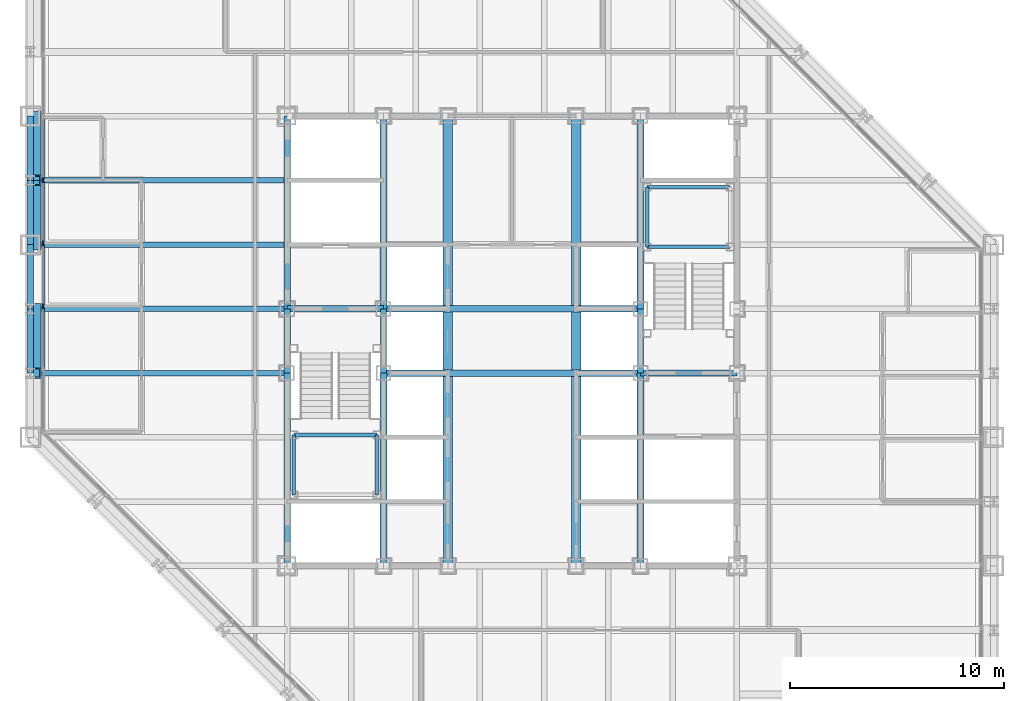
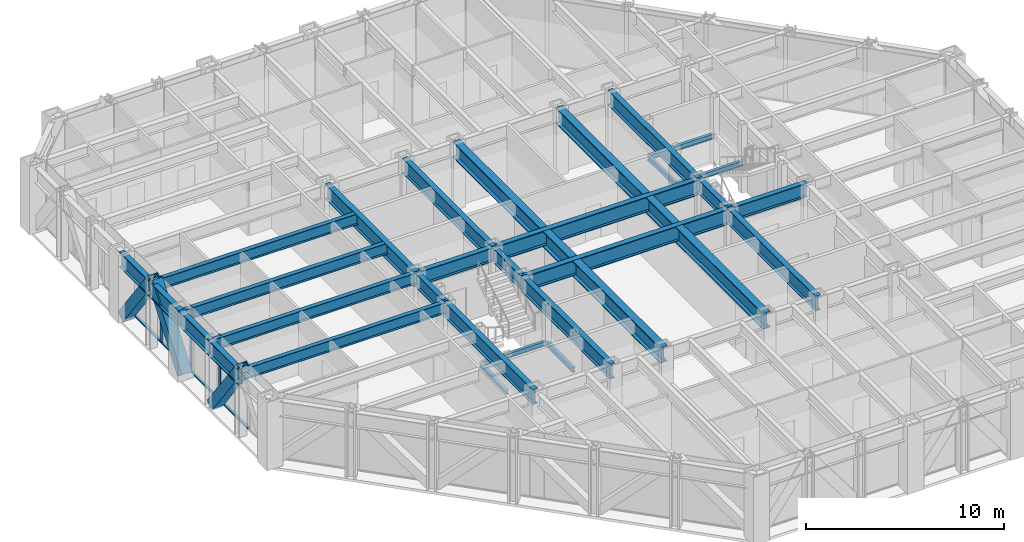
# One storey, part 5 of 16: 33 beams, 10 members, 1 element without a shape of its own.
"""IFC4 building model written with IfcOpenShell, lengths in metres."""

import ifcopenshell
import ifcopenshell.guid

model = None  # the IFC model being written
_history = None  # IfcOwnerHistory: only IFC2X3 demands one
_inside = {}  # id of a spatial element -> (the spatial element, [elements in it])
_under = {}  # id of a project, library or spatial element -> (it, [spatial elements below it])
_declared = {}  # id of a project -> (the project, [libraries it declares])
_typed = {}  # id of a type object -> (the type object, [elements of that type])
_made_of = {}  # id of a material, layer set ... -> (it, [elements and type objects made of it])


def new_model(schema):
    """Start an empty IFC model of exactly this schema.

    Asked for "IFC4X3", IfcOpenShell would pick the latest addendum, in which some entities
    have other attributes; the version numbers below select the first issue.
    IFC2X3 requires an IfcOwnerHistory on every rooted entity: one is made here for all.
    """
    global model, _history
    if schema == "IFC4X3":
        model = ifcopenshell.file(schema_version=(4, 3, 0, 0))
    else:
        model = ifcopenshell.file(schema=schema)
    _inside.clear()
    _under.clear()
    _declared.clear()
    _typed.clear()
    _made_of.clear()
    _history = None
    if model.schema == "IFC2X3":
        org = make("IfcOrganization", Name="unknown")
        user = make(
            "IfcPersonAndOrganization",
            ThePerson=make("IfcPerson", FamilyName="unknown"),
            TheOrganization=org,
        )
        app = make(
            "IfcApplication",
            ApplicationDeveloper=org,
            Version="unknown",
            ApplicationFullName="unknown",
            ApplicationIdentifier="unknown",
        )
        _history = make(
            "IfcOwnerHistory",
            OwningUser=user,
            OwningApplication=app,
            ChangeAction="ADDED",
            CreationDate=0,
        )
    return model


def make(cls, **values):
    """One entity of the class cls with the attributes given. An attribute that is None is left unset."""
    return model.create_entity(
        cls, **{name: value for name, value in values.items() if value is not None}
    )


def rooted(cls, **values):
    """An entity with a GlobalId (a new one), such as an element, a storey or a relation."""
    return make(cls, GlobalId=ifcopenshell.guid.new(), OwnerHistory=_history, **values)


def si_unit(unit_type, name, prefix=None):
    """IfcSIUnit, for example si_unit("LENGTHUNIT", "METRE", prefix="MILLI")."""
    return make("IfcSIUnit", UnitType=unit_type, Prefix=prefix, Name=name)


def assignment(units):
    """IfcUnitAssignment: the units of a project."""
    return None if units is None else make("IfcUnitAssignment", Units=units)


def point(xyz):
    """IfcCartesianPoint."""
    return None if xyz is None else make("IfcCartesianPoint", Coordinates=xyz)


def direction(xyz):
    """IfcDirection."""
    return None if xyz is None else make("IfcDirection", DirectionRatios=xyz)


def frame(location, z_axis=None, x_axis=None):
    """IfcAxis2Placement3D, a coordinate frame: its origin and axes. An axis left out is left unset."""
    return make(
        "IfcAxis2Placement3D",
        Location=point(location),
        Axis=direction(z_axis),
        RefDirection=direction(x_axis),
    )


def frame_2d(location, x_axis=None):
    """IfcAxis2Placement2D, a coordinate frame in the plane: its origin and x axis."""
    return make(
        "IfcAxis2Placement2D", Location=point(location), RefDirection=direction(x_axis)
    )


def origin():
    """The frame at (0, 0, 0) with its axes left unset."""
    return frame((0.0, 0.0, 0.0))


def origin_2d():
    """The frame at (0, 0) in the plane with its x axis left unset."""
    return frame_2d((0.0, 0.0))


def place(relative_to, where):
    """IfcLocalPlacement: puts the frame where relative to a parent placement (None: the world)."""
    return make(
        "IfcLocalPlacement", PlacementRelTo=relative_to, RelativePlacement=where
    )


def context(
    kind, dimensions, precision=None, world=None, true_north=None, identifier=None
):
    """IfcGeometricRepresentationContext, for example the 3D "Model" context."""
    return make(
        "IfcGeometricRepresentationContext",
        ContextIdentifier=identifier,
        ContextType=kind,
        CoordinateSpaceDimension=dimensions,
        Precision=precision,
        WorldCoordinateSystem=world,
        TrueNorth=true_north,
    )


def subcontext(parent, identifier, kind, view, scale=None):
    """IfcGeometricRepresentationSubContext, for example "Body" below "Model"."""
    return make(
        "IfcGeometricRepresentationSubContext",
        ContextIdentifier=identifier,
        ContextType=kind,
        ParentContext=parent,
        TargetScale=scale,
        TargetView=view,
    )


def project(units=None, contexts=None):
    """IfcProject with its units and contexts."""
    return rooted(
        "IfcProject",
        Name="project",
        RepresentationContexts=contexts,
        UnitsInContext=assignment(units),
    )


def spatial(cls, under=None, at=None, **own):
    """A site, building, storey or space (cls), placed at a placement, below another one or the project."""
    s = rooted(cls, ObjectPlacement=at, **own)
    if under is not None:
        _under.setdefault(under.id(), (under, []))[1].append(s)
    return s


def profile(cls, at=None, kind="AREA", **sizes):
    """A parametric profile (cls). Its sizes go by their IFC names, for example OverallWidth=200.0."""
    return make(cls, ProfileType=kind, Position=at, **sizes)


def rectangle(**sizes):
    """IfcRectangleProfileDef."""
    return profile("IfcRectangleProfileDef", **sizes)


def hollow_rectangle(**sizes):
    """IfcRectangleHollowProfileDef."""
    return profile("IfcRectangleHollowProfileDef", **sizes)


def i_section(**sizes):
    """IfcIShapeProfileDef."""
    return profile("IfcIShapeProfileDef", **sizes)


def extrude(swept, where, along, depth):
    """IfcExtrudedAreaSolid: the profile swept, set in the frame where, extruded along a direction by depth."""
    return make(
        "IfcExtrudedAreaSolid",
        SweptArea=swept,
        Position=where,
        ExtrudedDirection=direction(along),
        Depth=depth,
    )


def shape(context_of_items, identifier, shape_type, items):
    """IfcShapeRepresentation: the items that make up one representation, for example the "Body"."""
    return make(
        "IfcShapeRepresentation",
        ContextOfItems=context_of_items,
        RepresentationIdentifier=identifier,
        RepresentationType=shape_type,
        Items=items,
    )


def material(Name=None, Category=None):
    """IfcMaterial."""
    return make("IfcMaterial", Name=Name, Category=Category)


def layer(
    of_material, thickness, ventilated=None, Name=None, Category=None, Priority=None
):
    """IfcMaterialLayer: one layer of a wall or slab, of a material (None: an air gap)."""
    return make(
        "IfcMaterialLayer",
        Material=of_material,
        LayerThickness=thickness,
        IsVentilated=ventilated,
        Name=Name,
        Category=Category,
        Priority=Priority,
    )


def layer_set(layers, Name=None):
    """IfcMaterialLayerSet."""
    return make("IfcMaterialLayerSet", MaterialLayers=layers, LayerSetName=Name)


def material_profile(
    of_material, cross_section, Name=None, Category=None, Priority=None
):
    """IfcMaterialProfile: a cross section and its material."""
    return make(
        "IfcMaterialProfile",
        Name=Name,
        Material=of_material,
        Profile=cross_section,
        Priority=Priority,
        Category=Category,
    )


def profile_set(profiles, Name=None, composite=None):
    """IfcMaterialProfileSet."""
    return make(
        "IfcMaterialProfileSet",
        Name=Name,
        MaterialProfiles=profiles,
        CompositeProfile=composite,
    )


def made_of(thing, what):
    """Note that an element or type object is made of a material, layer set ...; save() writes the relation."""
    if what is not None:
        _made_of.setdefault(what.id(), (what, []))[1].append(thing)
    return thing


def type_object(cls, material=None, **own):
    """A type object (cls), such as IfcWallType, which elements share."""
    return made_of(rooted(cls, **own), material)


def element(
    cls,
    number,
    at=None,
    inside=None,
    cuts=None,
    type_object=None,
    material=None,
    context=None,
    identifier="Body",
    shape_type=None,
    held_by="IfcProductDefinitionShape",
    body=None,
    shapes=None,
    **own,
):
    """One element of the class cls, such as IfcWall. Its Tag is "e" and its number.

    at: its placement. inside: the storey or other place that contains it. cuts: it is an
    opening in that element (IfcRelVoidsElement). A single representation is given by context,
    identifier, shape_type and body (its items); several are given by shapes. held_by: the class
    of the entity that holds the representations. save() writes the other relations.
    """
    e = rooted(cls, Tag="e%d" % number, ObjectPlacement=at, **own)
    if body is not None:
        shapes = [shape(context, identifier, shape_type, body)]
    if shapes is not None:
        e.Representation = make(held_by, Representations=shapes)
    if inside is not None:
        _inside.setdefault(inside.id(), (inside, []))[1].append(e)
    if cuts is not None:
        rooted(
            "IfcRelVoidsElement", RelatingBuildingElement=cuts, RelatedOpeningElement=e
        )
    if type_object is not None:
        _typed.setdefault(type_object.id(), (type_object, []))[1].append(e)
    return made_of(e, material)


def aggregate(whole, parts):
    """IfcRelAggregates: a whole, such as a stair, and the parts it consists of."""
    return rooted("IfcRelAggregates", RelatingObject=whole, RelatedObjects=parts)


def save(model, path):
    """Write the relations noted so far, then the file.

    IfcRelAggregates (storeys below a building ...), IfcRelContainedInSpatialStructure (elements
    in a storey), IfcRelDefinesByType, IfcRelAssociatesMaterial and IfcRelDeclares: one each for
    every whole, place, type object, material and project.
    """
    for whole, parts in _under.values():
        aggregate(whole, parts)
    for where, things in _inside.values():
        rooted(
            "IfcRelContainedInSpatialStructure",
            RelatedElements=things,
            RelatingStructure=where,
        )
    for kind, things in _typed.values():
        rooted("IfcRelDefinesByType", RelatedObjects=things, RelatingType=kind)
    for what, things in _made_of.values():
        rooted("IfcRelAssociatesMaterial", RelatedObjects=things, RelatingMaterial=what)
    for by, libraries in _declared.values():
        rooted("IfcRelDeclares", RelatingContext=by, RelatedDefinitions=libraries)
    model.write(path)


model = new_model("IFC4")

# Units and contexts
model_context = context("Model", 3, precision=1e-05, world=origin(), true_north=direction((0.0, 1.0)))
body_context = subcontext(model_context, "Body", "Model", "MODEL_VIEW")
ifc_project = project(units=[si_unit("LENGTHUNIT", "METRE"), si_unit("AREAUNIT", "SQUARE_METRE"), si_unit("VOLUMEUNIT", "CUBIC_METRE"), si_unit("PLANEANGLEUNIT", "RADIAN"), si_unit("MASSUNIT", "GRAM", prefix="KILO")], contexts=[model_context])

# Site, building, storey
site_placement = place(None, origin())
site = spatial("IfcSite", under=ifc_project, at=site_placement, CompositionType="ELEMENT")
building_placement = place(site_placement, origin())
building = spatial("IfcBuilding", under=site, at=building_placement, Name="Chuquiago Exchange Tower", CompositionType="ELEMENT")
storey_placement = place(building_placement, frame((0.0, 0.0, 106.800048828125)))
storey = spatial("IfcBuildingStorey", under=building, at=storey_placement, Name="L22", CompositionType="ELEMENT", Elevation=106.800048828125)

# Beams
ifc_material_1 = material(Name="Steel ASTM A992", Category="steel")
ifc_material_profile_1 = material_profile(ifc_material_1, i_section(OverallWidth=0.25390625, OverallDepth=0.683349609375, WebThickness=0.012451171875, FlangeThickness=0.018798828125, at=origin_2d()), Name="W27X94")
ifc_profile_set_1 = profile_set([ifc_material_profile_1], Name="Steel ASTM A992")
beam_type_1 = type_object("IfcBeamType", Name="B1 W27X94", PredefinedType="BEAM", material=ifc_profile_set_1)
for number, where, z_axis, x_axis, name in (
    (1, (12.0, 21.0, 3.6982421875), (-1.0, 0.0, 0.0), (0.0, -1.0, 0.0), "FB-L23-infill-12_21--0_21-0"),
    (2, (12.0, 24.0, 3.6982421875), (-1.0, 0.0, 0.0), (0.0, -1.0, 0.0), "FB-L23-infill-12_24--0_24-0"),
    (3, (12.0, 27.0, 3.6982421875), (-1.0, 0.0, 0.0), (0.0, -1.0, 0.0), "FB-L23-infill-12_27--0_27-0"),
    (4, (12.0, 30.0, 3.6982421875), (-1.0, 0.0, 0.0), (0.0, -1.0, 0.0), "FB-L23-infill-12_30--0_30-0"),
):
    element("IfcBeam", number, at=place(storey_placement, frame(where, z_axis=z_axis, x_axis=x_axis)), inside=storey, type_object=beam_type_1, Name=name, PredefinedType="BEAM", context=body_context, shape_type="SweptSolid", body=[
        extrude(i_section(OverallWidth=0.25390625, OverallDepth=0.683349609375, WebThickness=0.012451171875, FlangeThickness=0.018798828125, at=origin_2d()), origin(), (0.0, 0.0, 1.0), 12.0),
    ])
ifc_material_2 = material(Name="Steel ASTM A992", Category="steel")
ifc_material_profile_2 = material_profile(ifc_material_2, i_section(OverallWidth=0.307373046875, OverallDepth=0.927001953125, WebThickness=0.01953125, FlangeThickness=0.031982421875, at=origin_2d()), Name="W36X194")
ifc_profile_set_2 = profile_set([ifc_material_profile_2], Name="Steel ASTM A992")
beam_type_2 = type_object("IfcBeamType", Name="B10 W36X194", PredefinedType="BEAM", material=ifc_profile_set_2)
for number, where, z_axis, x_axis, name in (
    (5, (12.0, 12.0, 3.576416015625), (0.0, 1.0, 0.0), (-1.0, 0.0, 0.0), "CB-L23-12_12-12_21"),
    (6, (12.0, 24.0, 3.576416015625), (0.0, 1.0, 0.0), (-1.0, 0.0, 0.0), "CB-L23-12_24-12_33"),
    (7, (16.5, 12.0, 3.576416015625), (0.0, 1.0, 0.0), (-1.0, 0.0, 0.0), "CB-L23-16.5_12-16.5_21"),
    (8, (16.5, 24.0, 3.576416015625), (0.0, 1.0, 0.0), (-1.0, 0.0, 0.0), "CB-L23-16.5_24-16.5_33"),
    (9, (28.5, 12.0, 3.576416015625), (0.0, 1.0, 0.0), (-1.0, 0.0, 0.0), "CB-L23-28.5_12-28.5_21"),
    (10, (28.5, 24.0, 3.576416015625), (0.0, 1.0, 0.0), (-1.0, 0.0, 0.0), "CB-L23-28.5_24-28.5_33"),
):
    element("IfcBeam", number, at=place(storey_placement, frame(where, z_axis=z_axis, x_axis=x_axis)), inside=storey, type_object=beam_type_2, Name=name, PredefinedType="BEAM", context=body_context, shape_type="SweptSolid", body=[
        extrude(i_section(OverallWidth=0.307373046875, OverallDepth=0.927001953125, WebThickness=0.01953125, FlangeThickness=0.031982421875, at=origin_2d()), origin(), (0.0, 0.0, 1.0), 9.0),
    ])
ifc_material_3 = material(Name="Steel ASTM A992", Category="steel")
ifc_material_profile_3 = material_profile(ifc_material_3, i_section(OverallWidth=0.309814453125, OverallDepth=0.949951171875, WebThickness=0.0244140625, FlangeThickness=0.0439453125, at=origin_2d()), Name="W36X256")
ifc_profile_set_3 = profile_set([ifc_material_profile_3], Name="Steel ASTM A992")
beam_type_3 = type_object("IfcBeamType", Name="B11 W36X256", PredefinedType="BEAM", material=ifc_profile_set_3)
for number, where, z_axis, x_axis, name in (
    (11, (16.5, 21.0, 3.56494140625), (1.0, 0.0, 0.0), (0.0, 1.0, 0.0), "CB-L23-16.5_21-28.5_21"),
    (12, (16.5, 24.0, 3.56494140625), (1.0, 0.0, 0.0), (0.0, 1.0, 0.0), "CB-L23-16.5_24-28.5_24"),
):
    element("IfcBeam", number, at=place(storey_placement, frame(where, z_axis=z_axis, x_axis=x_axis)), inside=storey, type_object=beam_type_3, Name=name, PredefinedType="BEAM", context=body_context, shape_type="SweptSolid", body=[
        extrude(i_section(OverallWidth=0.309814453125, OverallDepth=0.949951171875, WebThickness=0.0244140625, FlangeThickness=0.0439453125, at=origin_2d()), origin(), (0.0, 0.0, 1.0), 12.0),
    ])
ifc_material_4 = material(Name="Steel ASTM A992", Category="steel")
ifc_material_profile_4 = material_profile(ifc_material_4, i_section(OverallWidth=0.4267578125, OverallDepth=0.975341796875, WebThickness=0.031005859375, FlangeThickness=0.055908203125, at=origin_2d()), Name="W36X395")
ifc_profile_set_4 = profile_set([ifc_material_profile_4], Name="Steel ASTM A992")
beam_type_4 = type_object("IfcBeamType", Name="B12 W36X395", PredefinedType="BEAM", material=ifc_profile_set_4)
beam_1_placement = place(storey_placement, frame((19.5, 12.0, 3.55224609375), z_axis=(0.0, 1.0, 0.0), x_axis=(-1.0, 0.0, 0.0)))
element("IfcBeam", 13, at=beam_1_placement, inside=storey, type_object=beam_type_4, Name="CB-L23-19.5_12-19.5_20.8451", PredefinedType="BEAM", context=body_context, shape_type="SweptSolid", body=[
    extrude(i_section(OverallWidth=0.4267578125, OverallDepth=0.975341796875, WebThickness=0.031005859375, FlangeThickness=0.055908203125, at=origin_2d()), origin(), (0.0, 0.0, 1.0), 8.84521484375),
])
beam_2_placement = place(storey_placement, frame((19.5, 21.15478515625, 3.55224609375), z_axis=(0.0, 1.0, 0.0), x_axis=(-1.0, 0.0, 0.0)))
element("IfcBeam", 14, at=beam_2_placement, inside=storey, type_object=beam_type_4, Name="CB-L23-19.5_21.1549-19.5_23.8451", PredefinedType="BEAM", context=body_context, shape_type="SweptSolid", body=[
    extrude(i_section(OverallWidth=0.4267578125, OverallDepth=0.975341796875, WebThickness=0.031005859375, FlangeThickness=0.055908203125, at=origin_2d()), origin(), (0.0, 0.0, 1.0), 2.6904296875),
])
for number, where, z_axis, x_axis, name in (
    (15, (19.5, 24.15478515625, 3.55224609375), (0.0, 1.0, 0.0), (-1.0, 0.0, 0.0), "CB-L23-19.5_24.1549-19.5_33"),
    (16, (25.5, 12.0, 3.55224609375), (0.0, 1.0, 0.0), (-1.0, 0.0, 0.0), "CB-L23-25.5_12-25.5_20.8451"),
):
    element("IfcBeam", number, at=place(storey_placement, frame(where, z_axis=z_axis, x_axis=x_axis)), inside=storey, type_object=beam_type_4, Name=name, PredefinedType="BEAM", context=body_context, shape_type="SweptSolid", body=[
        extrude(i_section(OverallWidth=0.4267578125, OverallDepth=0.975341796875, WebThickness=0.031005859375, FlangeThickness=0.055908203125, at=origin_2d()), origin(), (0.0, 0.0, 1.0), 8.84521484375),
    ])
beam_3_placement = place(storey_placement, frame((25.5, 21.15478515625, 3.55224609375), z_axis=(0.0, 1.0, 0.0), x_axis=(-1.0, 0.0, 0.0)))
element("IfcBeam", 17, at=beam_3_placement, inside=storey, type_object=beam_type_4, Name="CB-L23-25.5_21.1549-25.5_23.8451", PredefinedType="BEAM", context=body_context, shape_type="SweptSolid", body=[
    extrude(i_section(OverallWidth=0.4267578125, OverallDepth=0.975341796875, WebThickness=0.031005859375, FlangeThickness=0.055908203125, at=origin_2d()), origin(), (0.0, 0.0, 1.0), 2.6904296875),
])
beam_4_placement = place(storey_placement, frame((25.5, 24.15478515625, 3.55224609375), z_axis=(0.0, 1.0, 0.0), x_axis=(-1.0, 0.0, 0.0)))
element("IfcBeam", 18, at=beam_4_placement, inside=storey, type_object=beam_type_4, Name="CB-L23-25.5_24.1549-25.5_33", PredefinedType="BEAM", context=body_context, shape_type="SweptSolid", body=[
    extrude(i_section(OverallWidth=0.4267578125, OverallDepth=0.975341796875, WebThickness=0.031005859375, FlangeThickness=0.055908203125, at=origin_2d()), origin(), (0.0, 0.0, 1.0), 8.84521484375),
])
ifc_material_5 = material(Name="Steel ASTM A992", Category="steel")
ifc_material_profile_5 = material_profile(ifc_material_5, i_section(OverallWidth=0.2919921875, OverallDepth=0.8583984375, WebThickness=0.01708984375, FlangeThickness=0.031005859375, at=origin_2d()), Name="W33X169")
ifc_profile_set_5 = profile_set([ifc_material_profile_5], Name="Steel ASTM A992")
beam_type_5 = type_object("IfcBeamType", Name="B3 W33X169", PredefinedType="BEAM", material=ifc_profile_set_5)
for number, where, z_axis, x_axis, name in (
    (19, (12.0, 21.0, 3.610595703125), (0.0, 1.0, 0.0), (-1.0, 0.0, 0.0), "CB-L23-12_21-12_24"),
    (20, (16.5, 21.0, 3.610595703125), (0.0, 1.0, 0.0), (-1.0, 0.0, 0.0), "CB-L23-16.5_21-16.5_24"),
    (21, (28.5, 21.0, 3.610595703125), (0.0, 1.0, 0.0), (-1.0, 0.0, 0.0), "CB-L23-28.5_21-28.5_24"),
):
    element("IfcBeam", number, at=place(storey_placement, frame(where, z_axis=z_axis, x_axis=x_axis)), inside=storey, type_object=beam_type_5, Name=name, PredefinedType="BEAM", context=body_context, shape_type="SweptSolid", body=[
        extrude(i_section(OverallWidth=0.2919921875, OverallDepth=0.8583984375, WebThickness=0.01708984375, FlangeThickness=0.031005859375, at=origin_2d()), origin(), (0.0, 0.0, 1.0), 3.0),
    ])
for number, where, z_axis, x_axis, name in (
    (22, (28.5, 21.0, 3.610595703125), (1.0, 0.0, 0.0), (0.0, 1.0, 0.0), "CB-L23-28.5_21-33_21"),
    (23, (12.0, 24.0, 3.610595703125), (1.0, 0.0, 0.0), (0.0, 1.0, 0.0), "CB-L23-12_24-16.5_24"),
):
    element("IfcBeam", number, at=place(storey_placement, frame(where, z_axis=z_axis, x_axis=x_axis)), inside=storey, type_object=beam_type_5, Name=name, PredefinedType="BEAM", context=body_context, shape_type="SweptSolid", body=[
        extrude(i_section(OverallWidth=0.2919921875, OverallDepth=0.8583984375, WebThickness=0.01708984375, FlangeThickness=0.031005859375, at=origin_2d()), origin(), (0.0, 0.0, 1.0), 4.5),
    ])

# Curtain wall, members
ifc_material_6 = material(Name="Aluminium curtain wall system", Category="aluminium")
ifc_layer = layer(ifc_material_6, 0.22509765625)
ifc_layer_set = layer_set([ifc_layer], Name="CW2 office curtain wall")
curtain_wall_type = type_object("IfcCurtainWallType", Name="CW2 office curtain wall", PredefinedType="NOTDEFINED", material=ifc_layer_set)
curtain_wall_placement = place(storey_placement, origin())
curtain_wall = element("IfcCurtainWall", 24, at=curtain_wall_placement, inside=storey, type_object=curtain_wall_type, Name="CW2 curtain wall L22", PredefinedType="NOTDEFINED")
ifc_material_7 = material(Name="Aluminium mullion, pale anodised", Category="aluminium")
ifc_material_profile_6 = material_profile(ifc_material_7, rectangle(XDim=0.06494140625, YDim=0.22509765625, at=origin_2d()), Name="AL 65x225")
ifc_profile_set_6 = profile_set([ifc_material_profile_6], Name="Aluminium mullion, pale anodised")
member_type_1 = type_object("IfcMemberType", Name="CW2-M mullion 65x225", PredefinedType="MULLION", material=ifc_profile_set_6)
member_1_placement = place(storey_placement, frame((0.60009765625, 30.0, 0.0), z_axis=(0.0, 0.0, 1.0), x_axis=(1.0, 0.0, 0.0)))
member_1 = element("IfcMember", 25, at=member_1_placement, type_object=member_type_1, Name="CW2 mullion 5", PredefinedType="MULLION", context=body_context, shape_type="SweptSolid", body=[
    extrude(rectangle(XDim=0.06494140625, YDim=0.22509765625, at=origin_2d()), origin(), (0.0, 0.0, 1.0), 4.0400390625),
])
member_2_placement = place(storey_placement, frame((0.60009765625, 27.06201171875, 0.0), z_axis=(0.0, 0.0, 1.0), x_axis=(1.0, 0.0, 0.0)))
member_2 = element("IfcMember", 26, at=member_2_placement, type_object=member_type_1, Name="CW2 mullion 6", PredefinedType="MULLION", context=body_context, shape_type="SweptSolid", body=[
    extrude(rectangle(XDim=0.06494140625, YDim=0.22509765625, at=origin_2d()), origin(), (0.0, 0.0, 1.0), 4.0400390625),
])
member_3_placement = place(storey_placement, frame((0.60009765625, 24.124267578125, 0.0), z_axis=(0.0, 0.0, 1.0), x_axis=(1.0, 0.0, 0.0)))
member_3 = element("IfcMember", 27, at=member_3_placement, type_object=member_type_1, Name="CW2 mullion 7", PredefinedType="MULLION", context=body_context, shape_type="SweptSolid", body=[
    extrude(rectangle(XDim=0.06494140625, YDim=0.22509765625, at=origin_2d()), origin(), (0.0, 0.0, 1.0), 4.0400390625),
])
ifc_material_8 = material(Name="Aluminium transom, pale anodised", Category="aluminium")
ifc_material_profile_7 = material_profile(ifc_material_8, rectangle(XDim=0.139892578125, YDim=0.06494140625, at=origin_2d()), Name="AL 140x65")
ifc_profile_set_7 = profile_set([ifc_material_profile_7], Name="Aluminium transom, pale anodised")
member_type_2 = type_object("IfcMemberType", Name="CW2-T transom 65x140", PredefinedType="MULLION", material=ifc_profile_set_7)
member_4_placement = place(storey_placement, frame((0.60009765625, 32.9052734375, 0.032470703125), z_axis=(0.0, -1.0, 0.0), x_axis=(1.0, 0.0, 0.0)))
member_4 = element("IfcMember", 28, at=member_4_placement, type_object=member_type_2, Name="CW2 transom 4.1", PredefinedType="MULLION", context=body_context, shape_type="SweptSolid", body=[
    extrude(rectangle(XDim=0.139892578125, YDim=0.06494140625, at=origin_2d()), origin(), (0.0, 0.0, 1.0), 2.872802734375),
])
member_5_placement = place(storey_placement, frame((0.60009765625, 29.967529296875, 0.032470703125), z_axis=(0.0, -1.0, 0.0), x_axis=(1.0, 0.0, 0.0)))
member_5 = element("IfcMember", 29, at=member_5_placement, type_object=member_type_2, Name="CW2 transom 5.1", PredefinedType="MULLION", context=body_context, shape_type="SweptSolid", body=[
    extrude(rectangle(XDim=0.139892578125, YDim=0.06494140625, at=origin_2d()), origin(), (0.0, 0.0, 1.0), 2.872802734375),
])
member_6_placement = place(storey_placement, frame((0.60009765625, 27.029541015625, 0.032470703125), z_axis=(0.0, -1.0, 0.0), x_axis=(1.0, 0.0, 0.0)))
member_6 = element("IfcMember", 30, at=member_6_placement, type_object=member_type_2, Name="CW2 transom 6.1", PredefinedType="MULLION", context=body_context, shape_type="SweptSolid", body=[
    extrude(rectangle(XDim=0.139892578125, YDim=0.06494140625, at=origin_2d()), origin(), (0.0, 0.0, 1.0), 2.872802734375),
])
member_7_placement = place(storey_placement, frame((0.60009765625, 24.091796875, 0.032470703125), z_axis=(0.0, -1.0, 0.0), x_axis=(1.0, 0.0, 0.0)))
member_7 = element("IfcMember", 31, at=member_7_placement, type_object=member_type_2, Name="CW2 transom 7.1", PredefinedType="MULLION", context=body_context, shape_type="SweptSolid", body=[
    extrude(rectangle(XDim=0.139892578125, YDim=0.06494140625, at=origin_2d()), origin(), (0.0, 0.0, 1.0), 2.872802734375),
])
aggregate(curtain_wall, [member_1, member_2, member_3, member_4, member_5, member_6, member_7])

# Beams
ifc_material_9 = material(Name="Steel ASTM A992", Category="steel")
ifc_material_profile_8 = material_profile(ifc_material_9, i_section(OverallWidth=0.164794921875, OverallDepth=0.309814453125, WebThickness=0.005859375, FlangeThickness=0.009765625, at=origin_2d()), Name="W12X26")
ifc_profile_set_8 = profile_set([ifc_material_profile_8], Name="Steel ASTM A992")
beam_type_6 = type_object("IfcBeamType", Name="LS1 W12X26", PredefinedType="BEAM", material=ifc_profile_set_8)
for number, where, z_axis, x_axis, name in (
    (32, (12.31005859375, 15.31005859375, 1.7451171875), (0.0, 1.0, 0.0), (-1.0, 0.0, 0.0), "Stair ST1 L22 landing 1 stringer"),
    (33, (16.18994140625, 15.31005859375, 1.7451171875), (0.0, 1.0, 0.0), (-1.0, 0.0, 0.0), "Stair ST1 L22 landing 1 stringer"),
    (34, (28.81005859375, 26.889892578125, 1.7451171875), (0.0, 1.0, 0.0), (-1.0, 0.0, 0.0), "Stair ST2 L22 landing 1 stringer"),
):
    element("IfcBeam", number, at=place(storey_placement, frame(where, z_axis=z_axis, x_axis=x_axis)), inside=storey, type_object=beam_type_6, Name=name, PredefinedType="BEAM", context=body_context, shape_type="SweptSolid", body=[
        extrude(i_section(OverallWidth=0.164794921875, OverallDepth=0.309814453125, WebThickness=0.005859375, FlangeThickness=0.009765625, at=origin_2d()), origin(), (0.0, 0.0, 1.0), 2.800048828125),
    ])
ifc_material_10 = material(Name="Steel ASTM A992", Category="steel")
ifc_material_profile_9 = material_profile(ifc_material_10, i_section(OverallWidth=0.164794921875, OverallDepth=0.309814453125, WebThickness=0.005859375, FlangeThickness=0.009765625, at=origin_2d()), Name="W12X26")
ifc_profile_set_9 = profile_set([ifc_material_profile_9], Name="Steel ASTM A992")
beam_type_7 = type_object("IfcBeamType", Name="LT1 W12X26", PredefinedType="BEAM", material=ifc_profile_set_9)
for number, where, z_axis, x_axis, name in (
    (35, (12.31005859375, 18.110107421875, 1.7451171875), (1.0, 0.0, 0.0), (0.0, 1.0, 0.0), "Stair ST1 L22 landing 1 trimmer"),
    (36, (28.81005859375, 29.68994140625, 1.7451171875), (1.0, 0.0, 0.0), (0.0, 1.0, 0.0), "Stair ST2 L22 landing 1 trimmer"),
    (37, (28.81005859375, 26.889892578125, 1.7451171875), (1.0, 0.0, 0.0), (0.0, 1.0, 0.0), "Stair ST2 L22 landing 1 trimmer"),
):
    element("IfcBeam", number, at=place(storey_placement, frame(where, z_axis=z_axis, x_axis=x_axis)), inside=storey, type_object=beam_type_7, Name=name, PredefinedType="BEAM", context=body_context, shape_type="SweptSolid", body=[
        extrude(i_section(OverallWidth=0.164794921875, OverallDepth=0.309814453125, WebThickness=0.005859375, FlangeThickness=0.009765625, at=origin_2d()), origin(), (0.0, 0.0, 1.0), 3.8798828125),
    ])

# Members
ifc_material_11 = material(Name="Steel ASTM A572 Grade 50", Category="steel")
ifc_material_profile_10 = material_profile(ifc_material_11, hollow_rectangle(XDim=0.60009765625, YDim=0.60009765625, WallThickness=0.06005859375, at=origin_2d()), Name="BOX600X600X60")
ifc_profile_set_10 = profile_set([ifc_material_profile_10], Name="Steel ASTM A572 Grade 50")
member_type_3 = type_object("IfcMemberType", Name="MB2 BOX600X600X60", PredefinedType="BRACE", material=ifc_profile_set_10)
for number, where, z_axis, x_axis, name in (
    (38, (0.205078125, 33.0, 0.0), (0.0, -0.596173923302, 0.802855312728), (1.0, 0.0, 0.0), "Mega diagonal L22 W face"),
    (39, (0.205078125, 27.0, 0.0), (0.0, 0.596173923302, 0.802855312728), (-1.0, 0.0, 0.0), "Mega diagonal L22 W face"),
    (40, (0.205078125, 24.0, 0.0), (0.0, -0.596173923302, 0.802855312728), (1.0, 0.0, 0.0), "Mega diagonal L22 W face"),
):
    element("IfcMember", number, at=place(storey_placement, frame(where, z_axis=z_axis, x_axis=x_axis)), inside=storey, type_object=member_type_3, Name=name, PredefinedType="BRACE", context=body_context, shape_type="SweptSolid", body=[
        extrude(hollow_rectangle(XDim=0.60009765625, YDim=0.60009765625, WallThickness=0.06005859375, at=origin_2d()), origin(), (0.0, 0.0, 1.0), 5.031982421875),
    ])

# Beams
ifc_material_12 = material(Name="Steel ASTM A992", Category="steel")
ifc_material_profile_11 = material_profile(ifc_material_12, i_section(OverallWidth=0.309814453125, OverallDepth=0.949951171875, WebThickness=0.0244140625, FlangeThickness=0.0439453125, at=origin_2d()), Name="W36X256")
ifc_profile_set_11 = profile_set([ifc_material_profile_11], Name="Steel ASTM A992")
beam_type_8 = type_object("IfcBeamType", Name="SP2 W36X256", PredefinedType="SPANDREL", material=ifc_profile_set_11)
for number, where, z_axis, x_axis, name in (
    (41, (0.0, 33.0, 3.56494140625), (0.0, -1.0, 0.0), (1.0, 0.0, 0.0), "SPB-L23-0_33-0_30"),
    (42, (0.0, 30.0, 3.56494140625), (0.0, -1.0, 0.0), (1.0, 0.0, 0.0), "SPB-L23-0_30-0_27"),
    (43, (0.0, 27.0, 3.56494140625), (0.0, -1.0, 0.0), (1.0, 0.0, 0.0), "SPB-L23-0_27-0_24"),
    (44, (0.0, 24.0, 3.56494140625), (0.0, -1.0, 0.0), (1.0, 0.0, 0.0), "SPB-L23-0_24-0_21"),
):
    element("IfcBeam", number, at=place(storey_placement, frame(where, z_axis=z_axis, x_axis=x_axis)), inside=storey, type_object=beam_type_8, Name=name, PredefinedType="SPANDREL", context=body_context, shape_type="SweptSolid", body=[
        extrude(i_section(OverallWidth=0.309814453125, OverallDepth=0.949951171875, WebThickness=0.0244140625, FlangeThickness=0.0439453125, at=origin_2d()), origin(), (0.0, 0.0, 1.0), 3.0),
    ])

save(model, "model.ifc")
